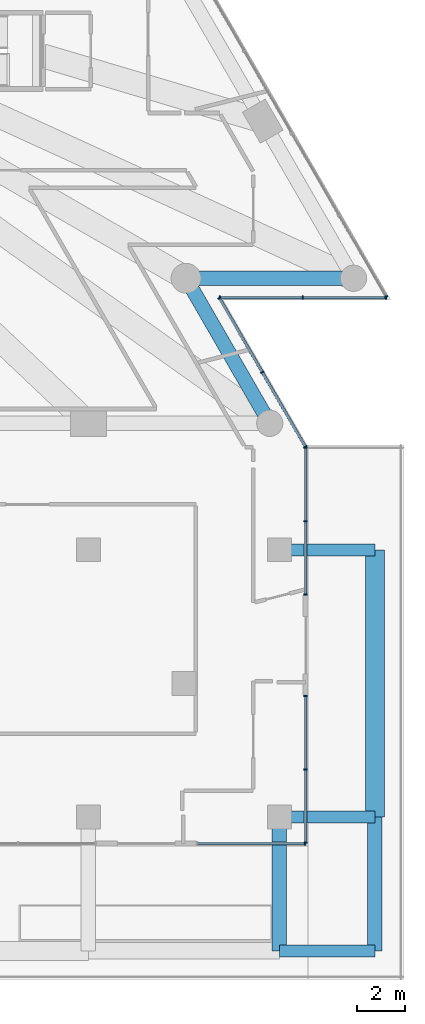
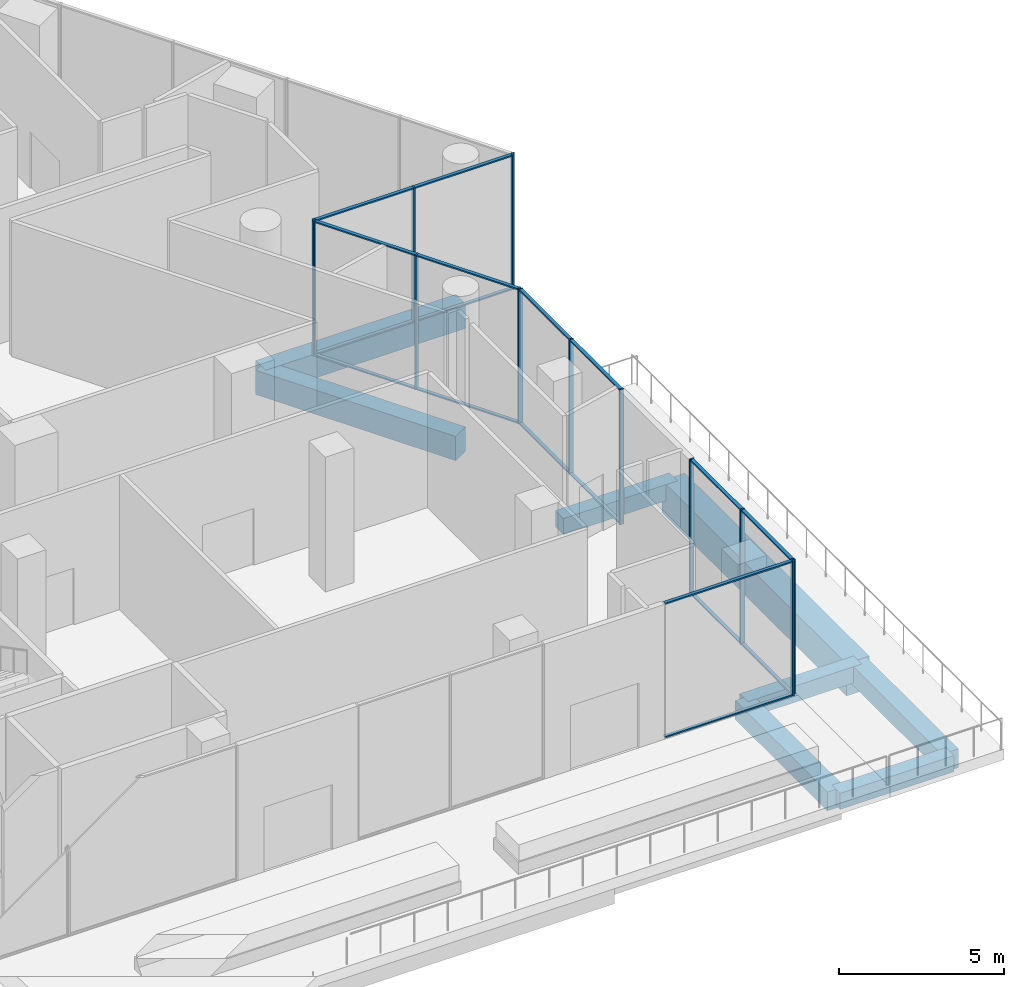
# One storey, part 15 of 32: 32 members, 8 beams, 6 elements without a shape of their own.
"""IFC4 building model written with IfcOpenShell, lengths in metres."""

from ifc_helpers import new_model, si_unit, direction, frame, origin, origin_2d, place, context, subcontext, project, spatial, rectangle, extrude, material, layer, layer_set, material_profile, profile_set, type_object, element, aggregate, save


model = new_model("IFC4")

# Units and contexts
model_context = context("Model", 3, precision=1e-05, world=origin(), true_north=direction((0.0, 1.0)))
body_context = subcontext(model_context, "Body", "Model", "MODEL_VIEW")
ifc_project = project(units=[si_unit("LENGTHUNIT", "METRE"), si_unit("AREAUNIT", "SQUARE_METRE"), si_unit("VOLUMEUNIT", "CUBIC_METRE"), si_unit("PLANEANGLEUNIT", "RADIAN"), si_unit("MASSUNIT", "GRAM", prefix="KILO")], contexts=[model_context])

# Site, building, storey
site_placement = place(None, origin())
site = spatial("IfcSite", under=ifc_project, at=site_placement, CompositionType="ELEMENT")
building_placement = place(site_placement, origin())
building = spatial("IfcBuilding", under=site, at=building_placement, Name="Triada Interchange Tower", CompositionType="ELEMENT")
storey_placement = place(building_placement, frame((0.0, 0.0, 14.5)))
storey = spatial("IfcBuildingStorey", under=building, at=storey_placement, Name="L02", CompositionType="ELEMENT", Elevation=14.5)

# Curtain wall, member
ifc_material_1 = material(Name="Aluminium framed glazing", Category="aluminium")
ifc_layer = layer(ifc_material_1, 0.199951171875)
ifc_layer_set = layer_set([ifc_layer], Name="Curtain wall Retail shopfront")
curtain_wall_type = type_object("IfcCurtainWallType", Name="Curtain wall Retail shopfront", PredefinedType="NOTDEFINED", material=ifc_layer_set)
curtain_wall_1_placement = place(storey_placement, origin())
curtain_wall_1 = element("IfcCurtainWall", 1, at=curtain_wall_1_placement, inside=storey, type_object=curtain_wall_type, Name="Retail shopfront CW008 L02", PredefinedType="NOTDEFINED")
ifc_material_2 = material(Name="Aluminium", Category="aluminium")
ifc_material_profile_1 = material_profile(ifc_material_2, rectangle(XDim=0.14990234375, YDim=0.050048828125, at=origin_2d()), Name="Aluminium mullion")
ifc_profile_set_1 = profile_set([ifc_material_profile_1], Name="Aluminium")
member_type_1 = type_object("IfcMemberType", Name="Mullion Retail shopfront 150x50", PredefinedType="MULLION", material=ifc_profile_set_1)
member_1_placement = place(storey_placement, frame((31.875, -39.199951171875, 0.0), z_axis=(0.0, 0.0, 1.0), x_axis=(0.0, 1.0, 0.0)))
member_1 = element("IfcMember", 2, at=member_1_placement, type_object=member_type_1, Name="CW008 mullion 2", PredefinedType="MULLION", context=body_context, shape_type="SweptSolid", body=[
    extrude(rectangle(XDim=0.14990234375, YDim=0.050048828125, at=origin_2d()), origin(), (0.0, 0.0, 1.0), 5.0),
])

# Curtain wall, members
curtain_wall_2_placement = place(storey_placement, origin())
curtain_wall_2 = element("IfcCurtainWall", 3, at=curtain_wall_2_placement, inside=storey, type_object=curtain_wall_type, Name="Retail shopfront CW009 L02", PredefinedType="NOTDEFINED")
member_2_placement = place(storey_placement, frame((31.89990234375, -39.175048828125, 0.0), z_axis=(0.0, 0.0, 1.0), x_axis=(-1.0, 0.0, 0.0)))
member_2 = element("IfcMember", 4, at=member_2_placement, type_object=member_type_1, Name="CW009 mullion 1", PredefinedType="MULLION", context=body_context, shape_type="SweptSolid", body=[
    extrude(rectangle(XDim=0.14990234375, YDim=0.050048828125, at=origin_2d()), origin(), (0.0, 0.0, 1.0), 5.0),
])
member_3_placement = place(storey_placement, frame((31.89990234375, -36.10009765625, 0.0), z_axis=(0.0, 0.0, 1.0), x_axis=(-1.0, 0.0, 0.0)))
member_3 = element("IfcMember", 5, at=member_3_placement, type_object=member_type_1, Name="CW009 mullion 2", PredefinedType="MULLION", context=body_context, shape_type="SweptSolid", body=[
    extrude(rectangle(XDim=0.14990234375, YDim=0.050048828125, at=origin_2d()), origin(), (0.0, 0.0, 1.0), 5.0),
])
member_4_placement = place(storey_placement, frame((31.89990234375, -33.02490234375, 0.0), z_axis=(0.0, 0.0, 1.0), x_axis=(-1.0, 0.0, 0.0)))
member_4 = element("IfcMember", 6, at=member_4_placement, type_object=member_type_1, Name="CW009 mullion 3", PredefinedType="MULLION", context=body_context, shape_type="SweptSolid", body=[
    extrude(rectangle(XDim=0.14990234375, YDim=0.050048828125, at=origin_2d()), origin(), (0.0, 0.0, 1.0), 5.0),
])

curtain_wall_3_placement = place(storey_placement, origin())
curtain_wall_3 = element("IfcCurtainWall", 7, at=curtain_wall_3_placement, inside=storey, type_object=curtain_wall_type, Name="Retail shopfront CW010 L02", PredefinedType="NOTDEFINED")
member_5_placement = place(storey_placement, frame((31.89990234375, -28.77490234375, 0.0), z_axis=(0.0, 0.0, 1.0), x_axis=(-1.0, 0.0, 0.0)))
member_5 = element("IfcMember", 8, at=member_5_placement, type_object=member_type_1, Name="CW010 mullion 1", PredefinedType="MULLION", context=body_context, shape_type="SweptSolid", body=[
    extrude(rectangle(XDim=0.14990234375, YDim=0.050048828125, at=origin_2d()), origin(), (0.0, 0.0, 1.0), 5.0),
])
member_6_placement = place(storey_placement, frame((31.89990234375, -25.699951171875, 0.0), z_axis=(0.0, 0.0, 1.0), x_axis=(-1.0, 0.0, 0.0)))
member_6 = element("IfcMember", 9, at=member_6_placement, type_object=member_type_1, Name="CW010 mullion 2", PredefinedType="MULLION", context=body_context, shape_type="SweptSolid", body=[
    extrude(rectangle(XDim=0.14990234375, YDim=0.050048828125, at=origin_2d()), origin(), (0.0, 0.0, 1.0), 5.0),
])
member_7_placement = place(storey_placement, frame((31.89990234375, -22.625, 0.0), z_axis=(0.0, 0.0, 1.0), x_axis=(-1.0, 0.0, 0.0)))
member_7 = element("IfcMember", 10, at=member_7_placement, type_object=member_type_1, Name="CW010 mullion 3", PredefinedType="MULLION", context=body_context, shape_type="SweptSolid", body=[
    extrude(rectangle(XDim=0.14990234375, YDim=0.050048828125, at=origin_2d()), origin(), (0.0, 0.0, 1.0), 5.0),
])

curtain_wall_4_placement = place(storey_placement, origin())
curtain_wall_4 = element("IfcCurtainWall", 11, at=curtain_wall_4_placement, inside=storey, type_object=curtain_wall_type, Name="Retail shopfront CW011 L02", PredefinedType="NOTDEFINED")
member_8_placement = place(storey_placement, frame((31.885498046875, -22.578369140625, 0.0), z_axis=(0.0, 0.0, 1.0), x_axis=(-0.866077569894, -0.499909634761, 0.0)))
member_8 = element("IfcMember", 12, at=member_8_placement, type_object=member_type_1, Name="CW011 mullion 1", PredefinedType="MULLION", context=body_context, shape_type="SweptSolid", body=[
    extrude(rectangle(XDim=0.14990234375, YDim=0.050048828125, at=origin_2d()), origin(), (0.0, 0.0, 1.0), 5.0),
])
member_9_placement = place(storey_placement, frame((30.0869140625, -19.46240234375, 0.0), z_axis=(0.0, 0.0, 1.0), x_axis=(-0.866077569894, -0.499909634761, 0.0)))
member_9 = element("IfcMember", 13, at=member_9_placement, type_object=member_type_1, Name="CW011 mullion 2", PredefinedType="MULLION", context=body_context, shape_type="SweptSolid", body=[
    extrude(rectangle(XDim=0.14990234375, YDim=0.050048828125, at=origin_2d()), origin(), (0.0, 0.0, 1.0), 5.0),
])
member_10_placement = place(storey_placement, frame((28.28857421875, -16.3466796875, 0.0), z_axis=(0.0, 0.0, 1.0), x_axis=(-0.866077569894, -0.499909634761, 0.0)))
member_10 = element("IfcMember", 14, at=member_10_placement, type_object=member_type_1, Name="CW011 mullion 3", PredefinedType="MULLION", context=body_context, shape_type="SweptSolid", body=[
    extrude(rectangle(XDim=0.14990234375, YDim=0.050048828125, at=origin_2d()), origin(), (0.0, 0.0, 1.0), 5.0),
])

curtain_wall_5_placement = place(storey_placement, origin())
curtain_wall_5 = element("IfcCurtainWall", 15, at=curtain_wall_5_placement, inside=storey, type_object=curtain_wall_type, Name="Retail shopfront CW012 L02", PredefinedType="NOTDEFINED")
member_11_placement = place(storey_placement, frame((28.301025390625, -16.324951171875, 0.0), z_axis=(0.0, 0.0, 1.0), x_axis=(0.0, 1.0, 0.0)))
member_11 = element("IfcMember", 16, at=member_11_placement, type_object=member_type_1, Name="CW012 mullion 1", PredefinedType="MULLION", context=body_context, shape_type="SweptSolid", body=[
    extrude(rectangle(XDim=0.14990234375, YDim=0.050048828125, at=origin_2d()), origin(), (0.0, 0.0, 1.0), 5.0),
])
member_12_placement = place(storey_placement, frame((31.783447265625, -16.324951171875, 0.0), z_axis=(0.0, 0.0, 1.0), x_axis=(0.0, 1.0, 0.0)))
member_12 = element("IfcMember", 17, at=member_12_placement, type_object=member_type_1, Name="CW012 mullion 2", PredefinedType="MULLION", context=body_context, shape_type="SweptSolid", body=[
    extrude(rectangle(XDim=0.14990234375, YDim=0.050048828125, at=origin_2d()), origin(), (0.0, 0.0, 1.0), 5.0),
])
member_13_placement = place(storey_placement, frame((35.26611328125, -16.324951171875, 0.0), z_axis=(0.0, 0.0, 1.0), x_axis=(0.0, 1.0, 0.0)))
member_13 = element("IfcMember", 18, at=member_13_placement, type_object=member_type_1, Name="CW012 mullion 3", PredefinedType="MULLION", context=body_context, shape_type="SweptSolid", body=[
    extrude(rectangle(XDim=0.14990234375, YDim=0.050048828125, at=origin_2d()), origin(), (0.0, 0.0, 1.0), 5.0),
])

# Curtain wall, member
curtain_wall_6_placement = place(storey_placement, origin())
curtain_wall_6 = element("IfcCurtainWall", 19, at=curtain_wall_6_placement, inside=storey, type_object=curtain_wall_type, Name="Retail shopfront CW013 L02", PredefinedType="NOTDEFINED")
member_14_placement = place(storey_placement, frame((35.278564453125, -16.303466796875, 0.0), z_axis=(0.0, 0.0, 1.0), x_axis=(-0.86604927658, -0.499958648825, 0.0)))
member_14 = element("IfcMember", 20, at=member_14_placement, type_object=member_type_1, Name="CW013 mullion 1", PredefinedType="MULLION", context=body_context, shape_type="SweptSolid", body=[
    extrude(rectangle(XDim=0.14990234375, YDim=0.050048828125, at=origin_2d()), origin(), (0.0, 0.0, 1.0), 5.0),
])
aggregate(curtain_wall_6, [member_14])

# Beams
ifc_material_3 = material(Name="Concrete C50/60", Category="concrete")
ifc_material_profile_2 = material_profile(ifc_material_3, rectangle(XDim=0.60009765625, YDim=0.89990234375, at=origin_2d()), Name="RC 600x900")
ifc_profile_set_2 = profile_set([ifc_material_profile_2], Name="Concrete C50/60")
beam_type_1 = type_object("IfcBeamType", Name="Spandrel beam P RC 600x900", PredefinedType="BEAM", material=ifc_profile_set_2)
beam_1_placement = place(storey_placement, frame((30.39697265625, -21.60009765625, -0.85009765625), z_axis=(-0.499953429515, 0.866052289597, 0.0), x_axis=(-0.866052289597, -0.499953429515, 0.0)))
element("IfcBeam", 21, at=beam_1_placement, inside=storey, type_object=beam_type_1, Name="Spandrel beam EP19 L02", PredefinedType="BEAM", context=body_context, shape_type="SweptSolid", body=[
    extrude(rectangle(XDim=0.60009765625, YDim=0.89990234375, at=origin_2d()), origin(), (0.0, 0.0, 1.0), 7.014892578125),
])
beam_2_placement = place(storey_placement, frame((26.889892578125, -15.52490234375, -0.85009765625), z_axis=(1.0, 0.0, 0.0), x_axis=(0.0, 1.0, 0.0)))
element("IfcBeam", 22, at=beam_2_placement, inside=storey, type_object=beam_type_1, Name="Spandrel beam EP20 L02", PredefinedType="BEAM", context=body_context, shape_type="SweptSolid", body=[
    extrude(rectangle(XDim=0.60009765625, YDim=0.89990234375, at=origin_2d()), origin(), (0.0, 0.0, 1.0), 7.01513671875),
])
ifc_material_4 = material(Name="Concrete C40/50", Category="concrete")
ifc_material_profile_3 = material_profile(ifc_material_4, rectangle(XDim=0.5, YDim=0.60009765625, at=origin_2d()), Name="RC 500x600")
ifc_profile_set_3 = profile_set([ifc_material_profile_3], Name="Concrete C40/50")
beam_type_2 = type_object("IfcBeamType", Name="Terrace beam RC 500x600", PredefinedType="BEAM", material=ifc_profile_set_3)
for number, where, z_axis, x_axis, name in (
    (23, (34.800048828125, -43.699951171875, -0.699951171875), (-1.0, 0.0, 0.0), (0.0, -1.0, 0.0), "Terrace beam TE06 L02"),
    (24, (34.800048828125, -38.10009765625, -0.699951171875), (-1.0, 0.0, 0.0), (0.0, -1.0, 0.0), "Terrace beam TE07 L02"),
    (25, (34.800048828125, -26.89990234375, -0.699951171875), (-1.0, 0.0, 0.0), (0.0, -1.0, 0.0), "Terrace beam TE08 L02"),
):
    element("IfcBeam", number, at=place(storey_placement, frame(where, z_axis=z_axis, x_axis=x_axis)), inside=storey, type_object=beam_type_2, Name=name, PredefinedType="BEAM", context=body_context, shape_type="SweptSolid", body=[
        extrude(rectangle(XDim=0.5, YDim=0.60009765625, at=origin_2d()), origin(), (0.0, 0.0, 1.0), 4.0),
    ])
ifc_material_profile_4 = material_profile(ifc_material_4, rectangle(XDim=0.60009765625, YDim=0.699951171875, at=origin_2d()), Name="RC 600x700")
ifc_profile_set_4 = profile_set([ifc_material_profile_4], Name="Concrete C40/50")
beam_type_3 = type_object("IfcBeamType", Name="Terrace beam RC 600x700", PredefinedType="BEAM", material=ifc_profile_set_4)
for number, where, z_axis, x_axis, name in (
    (26, (34.800048828125, -43.699951171875, -0.75), (0.0, 1.0, 0.0), (-1.0, 0.0, 0.0), "Terrace beam TE09 L02"),
    (27, (30.800048828125, -43.699951171875, -0.75), (0.0, 1.0, 0.0), (-1.0, 0.0, 0.0), "Terrace beam TE18 L02"),
):
    element("IfcBeam", number, at=place(storey_placement, frame(where, z_axis=z_axis, x_axis=x_axis)), inside=storey, type_object=beam_type_3, Name=name, PredefinedType="BEAM", context=body_context, shape_type="SweptSolid", body=[
        extrude(rectangle(XDim=0.60009765625, YDim=0.699951171875, at=origin_2d()), origin(), (0.0, 0.0, 1.0), 5.599853515625),
    ])
ifc_material_profile_5 = material_profile(ifc_material_4, rectangle(XDim=0.800048828125, YDim=1.199951171875, at=origin_2d()), Name="RC 800x1200")
ifc_profile_set_5 = profile_set([ifc_material_profile_5], Name="Concrete C40/50")
beam_type_4 = type_object("IfcBeamType", Name="Terrace beam RC 800x1200", PredefinedType="BEAM", material=ifc_profile_set_5)
beam_3_placement = place(storey_placement, frame((34.800048828125, -38.10009765625, -1.0), z_axis=(0.0, 1.0, 0.0), x_axis=(-1.0, 0.0, 0.0)))
element("IfcBeam", 28, at=beam_3_placement, inside=storey, type_object=beam_type_4, Name="Terrace beam TE10 L02", PredefinedType="BEAM", context=body_context, shape_type="SweptSolid", body=[
    extrude(rectangle(XDim=0.800048828125, YDim=1.199951171875, at=origin_2d()), origin(), (0.0, 0.0, 1.0), 11.2001953125),
])

# Member
ifc_material_profile_6 = material_profile(ifc_material_2, rectangle(XDim=0.1201171875, YDim=0.050048828125, at=origin_2d()), Name="Aluminium transom")
ifc_profile_set_6 = profile_set([ifc_material_profile_6], Name="Aluminium")
member_type_2 = type_object("IfcMemberType", Name="Transom Retail shopfront 120x50", PredefinedType="USERDEFINED", material=ifc_profile_set_6)
member_15_placement = place(storey_placement, frame((27.375, -39.199951171875, 0.02490234375), z_axis=(1.0, 0.0, 0.0), x_axis=(0.0, 1.0, 0.0)))
member_15 = element("IfcMember", 29, at=member_15_placement, type_object=member_type_2, Name="CW008 transom 1.1", ObjectType="TRANSOM", PredefinedType="USERDEFINED", context=body_context, shape_type="SweptSolid", body=[
    extrude(rectangle(XDim=0.1201171875, YDim=0.050048828125, at=origin_2d()), origin(), (0.0, 0.0, 1.0), 4.47509765625),
])

member_16_placement = place(storey_placement, frame((27.375, -39.199951171875, 4.97509765625), z_axis=(1.0, 0.0, 0.0), x_axis=(0.0, 1.0, 0.0)))
member_16 = element("IfcMember", 30, at=member_16_placement, type_object=member_type_2, Name="CW008 transom 1.2", ObjectType="TRANSOM", PredefinedType="USERDEFINED", context=body_context, shape_type="SweptSolid", body=[
    extrude(rectangle(XDim=0.1201171875, YDim=0.050048828125, at=origin_2d()), origin(), (0.0, 0.0, 1.0), 4.47509765625),
])

aggregate(curtain_wall_1, [member_1, member_15, member_16])

member_17_placement = place(storey_placement, frame((31.89990234375, -39.14990234375, 0.02490234375), z_axis=(0.0, 1.0, 0.0), x_axis=(-1.0, 0.0, 0.0)))
member_17 = element("IfcMember", 31, at=member_17_placement, type_object=member_type_2, Name="CW009 transom 1.1", ObjectType="TRANSOM", PredefinedType="USERDEFINED", context=body_context, shape_type="SweptSolid", body=[
    extrude(rectangle(XDim=0.1201171875, YDim=0.050048828125, at=origin_2d()), origin(), (0.0, 0.0, 1.0), 3.02490234375),
])

member_18_placement = place(storey_placement, frame((31.89990234375, -39.14990234375, 4.97509765625), z_axis=(0.0, 1.0, 0.0), x_axis=(-1.0, 0.0, 0.0)))
member_18 = element("IfcMember", 32, at=member_18_placement, type_object=member_type_2, Name="CW009 transom 1.2", ObjectType="TRANSOM", PredefinedType="USERDEFINED", context=body_context, shape_type="SweptSolid", body=[
    extrude(rectangle(XDim=0.1201171875, YDim=0.050048828125, at=origin_2d()), origin(), (0.0, 0.0, 1.0), 3.02490234375),
])

member_19_placement = place(storey_placement, frame((31.89990234375, -36.074951171875, 0.02490234375), z_axis=(0.0, 1.0, 0.0), x_axis=(-1.0, 0.0, 0.0)))
member_19 = element("IfcMember", 33, at=member_19_placement, type_object=member_type_2, Name="CW009 transom 2.1", ObjectType="TRANSOM", PredefinedType="USERDEFINED", context=body_context, shape_type="SweptSolid", body=[
    extrude(rectangle(XDim=0.1201171875, YDim=0.050048828125, at=origin_2d()), origin(), (0.0, 0.0, 1.0), 3.02490234375),
])

member_20_placement = place(storey_placement, frame((31.89990234375, -36.074951171875, 4.97509765625), z_axis=(0.0, 1.0, 0.0), x_axis=(-1.0, 0.0, 0.0)))
member_20 = element("IfcMember", 34, at=member_20_placement, type_object=member_type_2, Name="CW009 transom 2.2", ObjectType="TRANSOM", PredefinedType="USERDEFINED", context=body_context, shape_type="SweptSolid", body=[
    extrude(rectangle(XDim=0.1201171875, YDim=0.050048828125, at=origin_2d()), origin(), (0.0, 0.0, 1.0), 3.02490234375),
])

aggregate(curtain_wall_2, [member_2, member_3, member_4, member_17, member_18, member_19, member_20])

member_21_placement = place(storey_placement, frame((31.89990234375, -28.75, 0.02490234375), z_axis=(0.0, 1.0, 0.0), x_axis=(-1.0, 0.0, 0.0)))
member_21 = element("IfcMember", 35, at=member_21_placement, type_object=member_type_2, Name="CW010 transom 1.1", ObjectType="TRANSOM", PredefinedType="USERDEFINED", context=body_context, shape_type="SweptSolid", body=[
    extrude(rectangle(XDim=0.1201171875, YDim=0.050048828125, at=origin_2d()), origin(), (0.0, 0.0, 1.0), 3.02490234375),
])

member_22_placement = place(storey_placement, frame((31.89990234375, -28.75, 4.97509765625), z_axis=(0.0, 1.0, 0.0), x_axis=(-1.0, 0.0, 0.0)))
member_22 = element("IfcMember", 36, at=member_22_placement, type_object=member_type_2, Name="CW010 transom 1.2", ObjectType="TRANSOM", PredefinedType="USERDEFINED", context=body_context, shape_type="SweptSolid", body=[
    extrude(rectangle(XDim=0.1201171875, YDim=0.050048828125, at=origin_2d()), origin(), (0.0, 0.0, 1.0), 3.02490234375),
])

member_23_placement = place(storey_placement, frame((31.89990234375, -25.675048828125, 0.02490234375), z_axis=(0.0, 1.0, 0.0), x_axis=(-1.0, 0.0, 0.0)))
member_23 = element("IfcMember", 37, at=member_23_placement, type_object=member_type_2, Name="CW010 transom 2.1", ObjectType="TRANSOM", PredefinedType="USERDEFINED", context=body_context, shape_type="SweptSolid", body=[
    extrude(rectangle(XDim=0.1201171875, YDim=0.050048828125, at=origin_2d()), origin(), (0.0, 0.0, 1.0), 3.025146484375),
])

member_24_placement = place(storey_placement, frame((31.89990234375, -25.675048828125, 4.97509765625), z_axis=(0.0, 1.0, 0.0), x_axis=(-1.0, 0.0, 0.0)))
member_24 = element("IfcMember", 38, at=member_24_placement, type_object=member_type_2, Name="CW010 transom 2.2", ObjectType="TRANSOM", PredefinedType="USERDEFINED", context=body_context, shape_type="SweptSolid", body=[
    extrude(rectangle(XDim=0.1201171875, YDim=0.050048828125, at=origin_2d()), origin(), (0.0, 0.0, 1.0), 3.025146484375),
])

aggregate(curtain_wall_3, [member_5, member_6, member_7, member_21, member_22, member_23, member_24])

member_25_placement = place(storey_placement, frame((31.873046875, -22.556640625, 0.02490234375), z_axis=(-0.499899187281, 0.866083600212, 0.0), x_axis=(-0.866083600212, -0.499899187281, 0.0)))
member_25 = element("IfcMember", 39, at=member_25_placement, type_object=member_type_2, Name="CW011 transom 1.1", ObjectType="TRANSOM", PredefinedType="USERDEFINED", context=body_context, shape_type="SweptSolid", body=[
    extrude(rectangle(XDim=0.1201171875, YDim=0.050048828125, at=origin_2d()), origin(), (0.0, 0.0, 1.0), 3.547607421875),
])

member_26_placement = place(storey_placement, frame((31.873046875, -22.556640625, 4.97509765625), z_axis=(-0.499899187281, 0.866083600212, 0.0), x_axis=(-0.866083600212, -0.499899187281, 0.0)))
member_26 = element("IfcMember", 40, at=member_26_placement, type_object=member_type_2, Name="CW011 transom 1.2", ObjectType="TRANSOM", PredefinedType="USERDEFINED", context=body_context, shape_type="SweptSolid", body=[
    extrude(rectangle(XDim=0.1201171875, YDim=0.050048828125, at=origin_2d()), origin(), (0.0, 0.0, 1.0), 3.547607421875),
])

member_27_placement = place(storey_placement, frame((30.074462890625, -19.44091796875, 0.02490234375), z_axis=(-0.499899187281, 0.866083600212, 0.0), x_axis=(-0.866083600212, -0.499899187281, 0.0)))
member_27 = element("IfcMember", 41, at=member_27_placement, type_object=member_type_2, Name="CW011 transom 2.1", ObjectType="TRANSOM", PredefinedType="USERDEFINED", context=body_context, shape_type="SweptSolid", body=[
    extrude(rectangle(XDim=0.1201171875, YDim=0.050048828125, at=origin_2d()), origin(), (0.0, 0.0, 1.0), 3.547607421875),
])

member_28_placement = place(storey_placement, frame((30.074462890625, -19.44091796875, 4.97509765625), z_axis=(-0.499899187281, 0.866083600212, 0.0), x_axis=(-0.866083600212, -0.499899187281, 0.0)))
member_28 = element("IfcMember", 42, at=member_28_placement, type_object=member_type_2, Name="CW011 transom 2.2", ObjectType="TRANSOM", PredefinedType="USERDEFINED", context=body_context, shape_type="SweptSolid", body=[
    extrude(rectangle(XDim=0.1201171875, YDim=0.050048828125, at=origin_2d()), origin(), (0.0, 0.0, 1.0), 3.547607421875),
])

aggregate(curtain_wall_4, [member_8, member_9, member_10, member_25, member_26, member_27, member_28])

member_29_placement = place(storey_placement, frame((28.325927734375, -16.324951171875, 0.02490234375), z_axis=(1.0, 0.0, 0.0), x_axis=(0.0, 1.0, 0.0)))
member_29 = element("IfcMember", 43, at=member_29_placement, type_object=member_type_2, Name="CW012 transom 1.1", ObjectType="TRANSOM", PredefinedType="USERDEFINED", context=body_context, shape_type="SweptSolid", body=[
    extrude(rectangle(XDim=0.1201171875, YDim=0.050048828125, at=origin_2d()), origin(), (0.0, 0.0, 1.0), 3.4326171875),
])

member_30_placement = place(storey_placement, frame((28.325927734375, -16.324951171875, 4.97509765625), z_axis=(1.0, 0.0, 0.0), x_axis=(0.0, 1.0, 0.0)))
member_30 = element("IfcMember", 44, at=member_30_placement, type_object=member_type_2, Name="CW012 transom 1.2", ObjectType="TRANSOM", PredefinedType="USERDEFINED", context=body_context, shape_type="SweptSolid", body=[
    extrude(rectangle(XDim=0.1201171875, YDim=0.050048828125, at=origin_2d()), origin(), (0.0, 0.0, 1.0), 3.4326171875),
])

member_31_placement = place(storey_placement, frame((31.80859375, -16.324951171875, 0.02490234375), z_axis=(1.0, 0.0, 0.0), x_axis=(0.0, 1.0, 0.0)))
member_31 = element("IfcMember", 45, at=member_31_placement, type_object=member_type_2, Name="CW012 transom 2.1", ObjectType="TRANSOM", PredefinedType="USERDEFINED", context=body_context, shape_type="SweptSolid", body=[
    extrude(rectangle(XDim=0.1201171875, YDim=0.050048828125, at=origin_2d()), origin(), (0.0, 0.0, 1.0), 3.432373046875),
])

member_32_placement = place(storey_placement, frame((31.80859375, -16.324951171875, 4.97509765625), z_axis=(1.0, 0.0, 0.0), x_axis=(0.0, 1.0, 0.0)))
member_32 = element("IfcMember", 46, at=member_32_placement, type_object=member_type_2, Name="CW012 transom 2.2", ObjectType="TRANSOM", PredefinedType="USERDEFINED", context=body_context, shape_type="SweptSolid", body=[
    extrude(rectangle(XDim=0.1201171875, YDim=0.050048828125, at=origin_2d()), origin(), (0.0, 0.0, 1.0), 3.432373046875),
])

aggregate(curtain_wall_5, [member_11, member_12, member_13, member_29, member_30, member_31, member_32])

save(model, "model.ifc")
